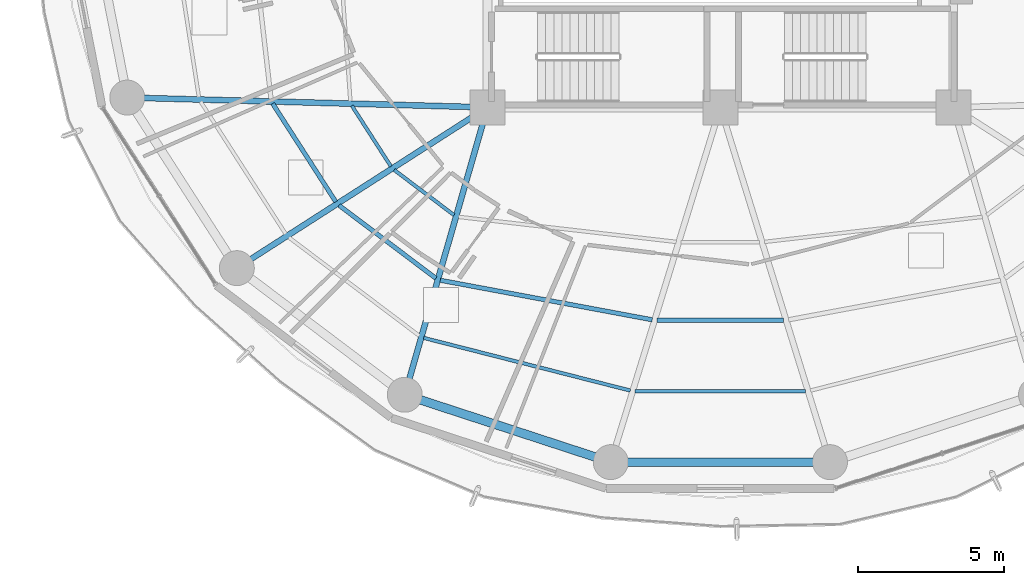
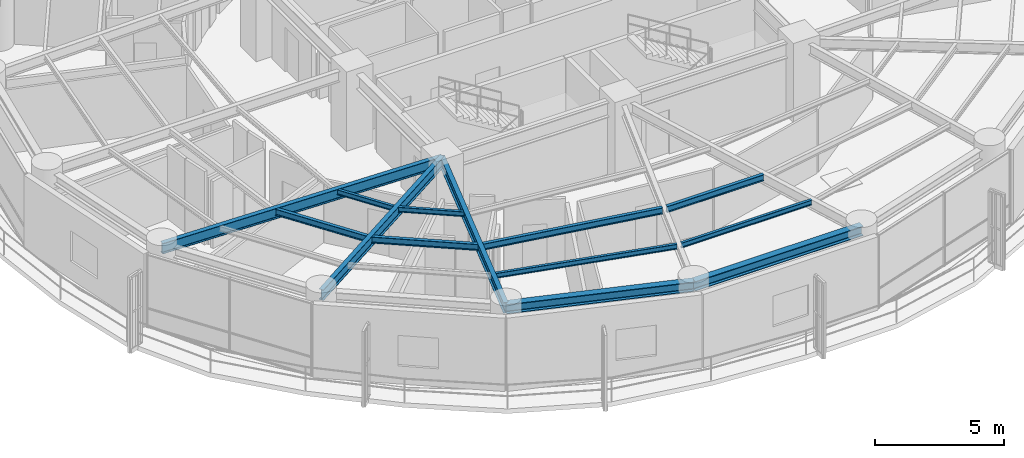
# One storey, part 3 of 27: 13 beams.
"""IFC4 building model written with IfcOpenShell, lengths in metres."""

from ifc_helpers import new_model, si_unit, direction, frame, origin, origin_2d, place, context, subcontext, project, spatial, i_section, extrude, material, material_profile, profile_set, type_object, element, save


model = new_model("IFC4")

# Units and contexts
model_context = context("Model", 3, precision=1e-05, world=origin(), true_north=direction((0.0, 1.0)))
body_context = subcontext(model_context, "Body", "Model", "MODEL_VIEW")
ifc_project = project(units=[si_unit("LENGTHUNIT", "METRE"), si_unit("AREAUNIT", "SQUARE_METRE"), si_unit("VOLUMEUNIT", "CUBIC_METRE"), si_unit("PLANEANGLEUNIT", "RADIAN"), si_unit("MASSUNIT", "GRAM", prefix="KILO")], contexts=[model_context])

# Site, building, storey
site_placement = place(None, origin())
site = spatial("IfcSite", under=ifc_project, at=site_placement, CompositionType="ELEMENT")
building_placement = place(site_placement, origin())
building = spatial("IfcBuilding", under=site, at=building_placement, Name="Kelanora Arch Commons", CompositionType="ELEMENT")
storey_placement = place(building_placement, frame((0.0, 0.0, 150.60009765625)))
storey = spatial("IfcBuildingStorey", under=building, at=storey_placement, Name="L38", CompositionType="ELEMENT", Elevation=150.60009765625)

# Beams
ifc_material = material(Name="Steel S355", Category="steel")
ifc_material_profile_1 = material_profile(ifc_material, i_section(OverallWidth=0.14990234375, OverallDepth=0.300048828125, WebThickness=0.007080078125, FlangeThickness=0.0107421875, FilletRadius=0.014892578125, at=origin_2d()), Name="IPE300")
ifc_profile_set_1 = profile_set([ifc_material_profile_1], Name="Steel S355")
beam_type_1 = type_object("IfcBeamType", Name="BM-JST-01", PredefinedType="JOIST", material=ifc_profile_set_1)
beam_1_placement = place(storey_placement, frame((58.622314453125, 51.130859375, 3.33984375), z_axis=(0.540594434398, -0.841283339606, 0.0), x_axis=(0.841283339606, 0.540594434398, 0.0)))
element("IfcBeam", 1, at=beam_1_placement, inside=storey, type_object=beam_type_1, Name="Secondary Chord Joist BJB-20 L38", PredefinedType="JOIST", context=body_context, shape_type="SweptSolid", body=[
    extrude(i_section(OverallWidth=0.14990234375, OverallDepth=0.300048828125, WebThickness=0.007080078125, FlangeThickness=0.0107421875, FilletRadius=0.014892578125, at=origin_2d()), origin(), (0.0, 0.0, 1.0), 4.008544921875),
])
beam_2_placement = place(storey_placement, frame((60.9033203125, 47.635986328125, 3.33984375), z_axis=(0.798463547891, -0.602043156833, 0.0), x_axis=(0.602043156833, 0.798463547891, 0.0)))
element("IfcBeam", 2, at=beam_2_placement, inside=storey, type_object=beam_type_1, Name="Secondary Chord Joist BJB-22 L38", PredefinedType="JOIST", context=body_context, shape_type="SweptSolid", body=[
    extrude(i_section(OverallWidth=0.14990234375, OverallDepth=0.300048828125, WebThickness=0.007080078125, FlangeThickness=0.0107421875, FilletRadius=0.014892578125, at=origin_2d()), origin(), (0.0, 0.0, 1.0), 4.163818359375),
])
beam_3_placement = place(storey_placement, frame((64.379638671875, 45.062255859375, 3.33984375), z_axis=(0.983054256126, -0.183314837134, 0.0), x_axis=(0.183314837134, 0.983054256126, 0.0)))
element("IfcBeam", 3, at=beam_3_placement, inside=storey, type_object=beam_type_1, Name="Secondary Chord Joist BJB-24 L38", PredefinedType="JOIST", context=body_context, shape_type="SweptSolid", body=[
    extrude(i_section(OverallWidth=0.14990234375, OverallDepth=0.300048828125, WebThickness=0.007080078125, FlangeThickness=0.0107421875, FilletRadius=0.014892578125, at=origin_2d()), origin(), (0.0, 0.0, 1.0), 7.403564453125),
])
beam_4_placement = place(storey_placement, frame((71.826171875, 43.689453125, 3.33984375), z_axis=(1.0, 0.0, 0.0), x_axis=(0.0, 1.0, 0.0)))
element("IfcBeam", 4, at=beam_4_placement, inside=storey, type_object=beam_type_1, Name="Secondary Chord Joist BJB-26 L38", PredefinedType="JOIST", context=body_context, shape_type="SweptSolid", body=[
    extrude(i_section(OverallWidth=0.14990234375, OverallDepth=0.300048828125, WebThickness=0.007080078125, FlangeThickness=0.0107421875, FilletRadius=0.014892578125, at=origin_2d()), origin(), (0.0, 0.0, 1.0), 4.34765625),
])
ifc_material_profile_2 = material_profile(ifc_material, i_section(OverallWidth=0.1201171875, OverallDepth=0.239990234375, WebThickness=0.006103515625, FlangeThickness=0.009765625, FilletRadius=0.014892578125, at=origin_2d()), Name="IPE240")
ifc_profile_set_2 = profile_set([ifc_material_profile_2], Name="Steel S355")
beam_type_2 = type_object("IfcBeamType", Name="BM-JST-02", PredefinedType="JOIST", material=ifc_profile_set_2)
beam_5_placement = place(storey_placement, frame((61.344482421875, 51.056640625, 3.369873046875), z_axis=(0.540583174025, -0.841290575224, 0.0), x_axis=(0.841290575224, 0.540583174025, 0.0)))
element("IfcBeam", 5, at=beam_5_placement, inside=storey, type_object=beam_type_2, Name="Secondary Chord Joist BJA-20 L38", PredefinedType="JOIST", context=body_context, shape_type="SweptSolid", body=[
    extrude(i_section(OverallWidth=0.1201171875, OverallDepth=0.239990234375, WebThickness=0.006103515625, FlangeThickness=0.009765625, FilletRadius=0.014892578125, at=origin_2d()), origin(), (0.0, 0.0, 1.0), 2.476318359375),
])
beam_6_placement = place(storey_placement, frame((62.796875, 48.8505859375, 3.369873046875), z_axis=(0.798484118859, -0.602015873487, 0.0), x_axis=(0.602015873487, 0.798484118859, 0.0)))
element("IfcBeam", 6, at=beam_6_placement, inside=storey, type_object=beam_type_2, Name="Secondary Chord Joist BJA-22 L38", PredefinedType="JOIST", context=body_context, shape_type="SweptSolid", body=[
    extrude(i_section(OverallWidth=0.1201171875, OverallDepth=0.239990234375, WebThickness=0.006103515625, FlangeThickness=0.009765625, FilletRadius=0.014892578125, at=origin_2d()), origin(), (0.0, 0.0, 1.0), 2.57470703125),
])
beam_7_placement = place(storey_placement, frame((63.810302734375, 43.082763671875, 3.369873046875), z_axis=(0.96900232943, -0.247051584815, 0.0), x_axis=(0.247051584815, 0.96900232943, 0.0)))
element("IfcBeam", 7, at=beam_7_placement, inside=storey, type_object=beam_type_2, Name="Secondary Chord Joist BJC-24 L38", PredefinedType="JOIST", context=body_context, shape_type="SweptSolid", body=[
    extrude(i_section(OverallWidth=0.1201171875, OverallDepth=0.239990234375, WebThickness=0.006103515625, FlangeThickness=0.009765625, FilletRadius=0.014892578125, at=origin_2d()), origin(), (0.0, 0.0, 1.0), 7.32275390625),
])
beam_8_placement = place(storey_placement, frame((71.0732421875, 41.252685546875, 3.369873046875), z_axis=(1.0, 0.0, 0.0), x_axis=(0.0, 1.0, 0.0)))
element("IfcBeam", 8, at=beam_8_placement, inside=storey, type_object=beam_type_2, Name="Secondary Chord Joist BJC-26 L38", PredefinedType="JOIST", context=body_context, shape_type="SweptSolid", body=[
    extrude(i_section(OverallWidth=0.1201171875, OverallDepth=0.239990234375, WebThickness=0.006103515625, FlangeThickness=0.009765625, FilletRadius=0.014892578125, at=origin_2d()), origin(), (0.0, 0.0, 1.0), 5.853515625),
])
ifc_material_profile_3 = material_profile(ifc_material, i_section(OverallWidth=0.199951171875, OverallDepth=0.5, WebThickness=0.01025390625, FlangeThickness=0.01611328125, FilletRadius=0.02099609375, at=origin_2d()), Name="IPE500")
ifc_profile_set_3 = profile_set([ifc_material_profile_3], Name="Steel S355")
beam_type_3 = type_object("IfcBeamType", Name="BM-RAD-Z3", PredefinedType="BEAM", material=ifc_profile_set_3)
beam_9_placement = place(storey_placement, frame((66.0, 51.0, 3.239990234375), z_axis=(-0.999628374924, 0.027260081577, 0.0), x_axis=(-0.027260081577, -0.999628374924, 0.0)))
element("IfcBeam", 9, at=beam_9_placement, inside=storey, type_object=beam_type_3, Name="Radial Floor Girder BR-20 L38", PredefinedType="BEAM", context=body_context, shape_type="SweptSolid", body=[
    extrude(i_section(OverallWidth=0.199951171875, OverallDepth=0.5, WebThickness=0.01025390625, FlangeThickness=0.01611328125, FilletRadius=0.02099609375, at=origin_2d()), origin(), (0.0, 0.0, 1.0), 12.377197265625),
])
beam_10_placement = place(storey_placement, frame((66.0, 51.0, 3.239990234375), z_axis=(-0.841719465748, -0.539915123868, 0.0), x_axis=(0.539915123868, -0.841719465748, 0.0)))
element("IfcBeam", 10, at=beam_10_placement, inside=storey, type_object=beam_type_3, Name="Radial Floor Girder BR-22 L38", PredefinedType="BEAM", context=body_context, shape_type="SweptSolid", body=[
    extrude(i_section(OverallWidth=0.199951171875, OverallDepth=0.5, WebThickness=0.01025390625, FlangeThickness=0.01611328125, FilletRadius=0.02099609375, at=origin_2d()), origin(), (0.0, 0.0, 1.0), 10.2265625),
])
beam_11_placement = place(storey_placement, frame((66.0, 51.0, 3.239990234375), z_axis=(-0.276525880065, -0.961006471182, 0.0), x_axis=(0.961006471182, -0.276525880065, 0.0)))
element("IfcBeam", 11, at=beam_11_placement, inside=storey, type_object=beam_type_3, Name="Radial Floor Girder BR-24 L38", PredefinedType="BEAM", context=body_context, shape_type="SweptSolid", body=[
    extrude(i_section(OverallWidth=0.199951171875, OverallDepth=0.5, WebThickness=0.01025390625, FlangeThickness=0.01611328125, FilletRadius=0.02099609375, at=origin_2d()), origin(), (0.0, 0.0, 1.0), 10.2705078125),
])
ifc_material_profile_4 = material_profile(ifc_material, i_section(OverallWidth=0.300048828125, OverallDepth=0.449951171875, WebThickness=0.013916015625, FlangeThickness=0.02587890625, FilletRadius=0.027099609375, at=origin_2d()), Name="HEB450")
ifc_profile_set_4 = profile_set([ifc_material_profile_4], Name="Steel S355")
beam_type_4 = type_object("IfcBeamType", Name="BM-SPN-Z3", PredefinedType="SPANDREL", material=ifc_profile_set_4)
beam_12_placement = place(storey_placement, frame((63.159912109375, 41.1298828125, 3.264892578125), z_axis=(0.950461975786, -0.310840847676, 0.0), x_axis=(0.310840847676, 0.950461975786, 0.0)))
element("IfcBeam", 12, at=beam_12_placement, inside=storey, type_object=beam_type_4, Name="Perimeter Spandrel Beam BS-24 L38", PredefinedType="SPANDREL", context=body_context, shape_type="SweptSolid", body=[
    extrude(i_section(OverallWidth=0.300048828125, OverallDepth=0.449951171875, WebThickness=0.013916015625, FlangeThickness=0.02587890625, FilletRadius=0.027099609375, at=origin_2d()), origin(), (0.0, 0.0, 1.0), 7.444091796875),
])
beam_13_placement = place(storey_placement, frame((70.2353515625, 38.81591796875, 3.264892578125), z_axis=(1.0, 0.0, 0.0), x_axis=(0.0, 1.0, 0.0)))
element("IfcBeam", 13, at=beam_13_placement, inside=storey, type_object=beam_type_4, Name="Perimeter Spandrel Beam BS-26 L38", PredefinedType="SPANDREL", context=body_context, shape_type="SweptSolid", body=[
    extrude(i_section(OverallWidth=0.300048828125, OverallDepth=0.449951171875, WebThickness=0.013916015625, FlangeThickness=0.02587890625, FilletRadius=0.027099609375, at=origin_2d()), origin(), (0.0, 0.0, 1.0), 7.529296875),
])

save(model, "model.ifc")
